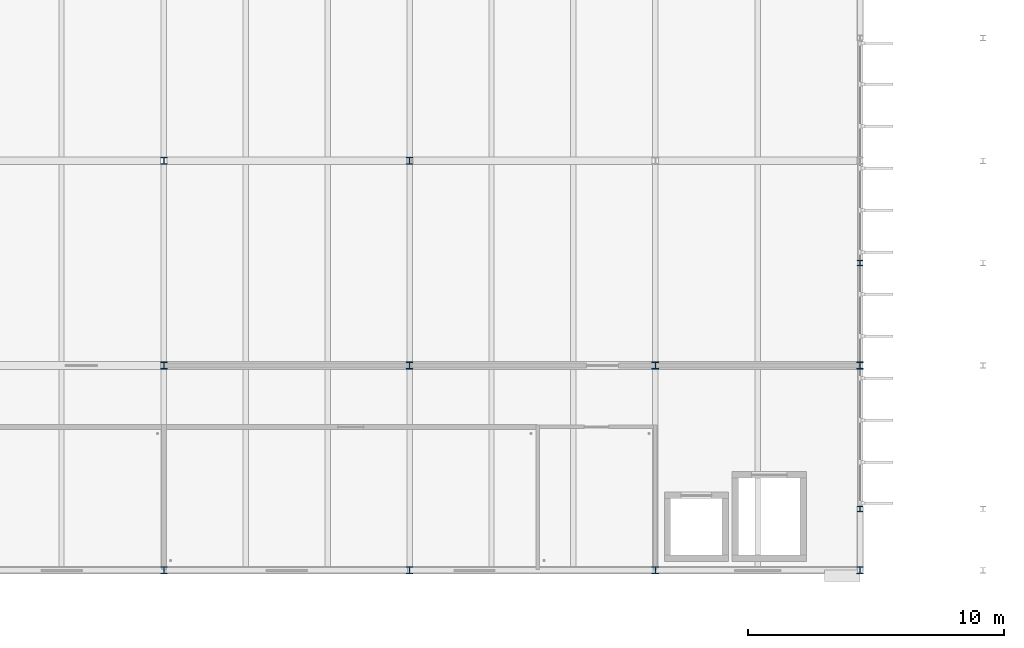
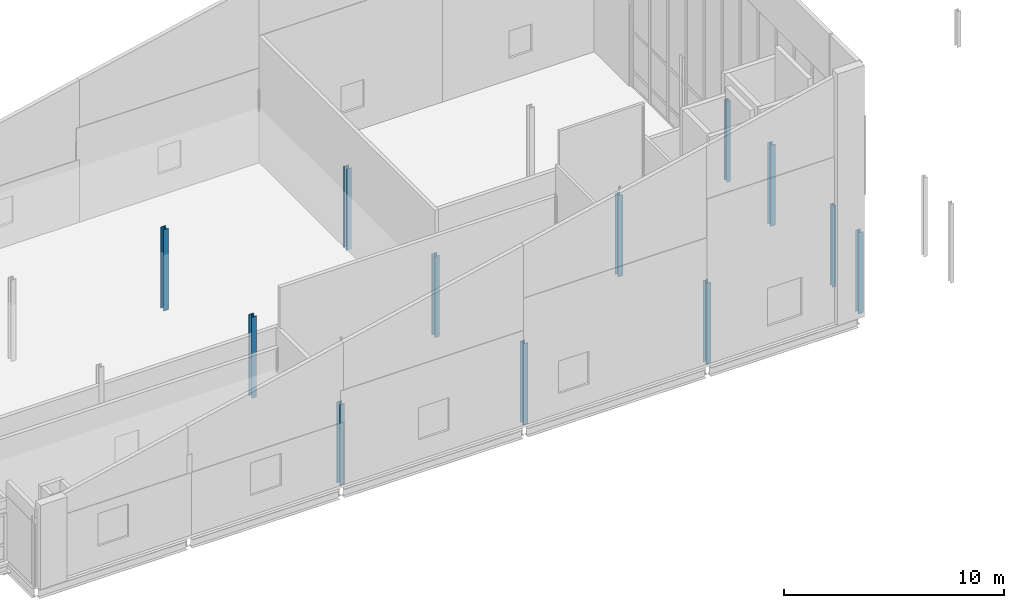
# One storey, part 6 of 59: 12 columns.
"""IFC4 building model written with IfcOpenShell, lengths in metres."""

from ifc_helpers import new_model, si_unit, direction, frame, origin, origin_2d, place, context, subcontext, project, spatial, i_section, extrude, material, material_profile, profile_set, type_object, element, save


model = new_model("IFC4")

# Units and contexts
model_context = context("Model", 3, precision=1e-05, world=origin(), true_north=direction((0.0, 1.0)))
body_context = subcontext(model_context, "Body", "Model", "MODEL_VIEW")
ifc_project = project(units=[si_unit("LENGTHUNIT", "METRE"), si_unit("AREAUNIT", "SQUARE_METRE"), si_unit("VOLUMEUNIT", "CUBIC_METRE"), si_unit("PLANEANGLEUNIT", "RADIAN"), si_unit("MASSUNIT", "GRAM", prefix="KILO")], contexts=[model_context])

# Site, building, storey
site_placement = place(None, origin())
site = spatial("IfcSite", under=ifc_project, at=site_placement, CompositionType="ELEMENT")
building_placement = place(site_placement, origin())
building = spatial("IfcBuilding", under=site, at=building_placement, Name="Dunescarp Central Library", CompositionType="ELEMENT")
storey_placement = place(building_placement, frame((0.0, 0.0, 18.60009765625)))
storey = spatial("IfcBuildingStorey", under=building, at=storey_placement, Name="L04", CompositionType="ELEMENT", Elevation=18.60009765625)

# Columns
ifc_material = material(Name="Steel S355JR", Category="steel")
ifc_material_profile_1 = material_profile(ifc_material, i_section(OverallWidth=0.206298828125, OverallDepth=0.2158203125, WebThickness=0.010009765625, FlangeThickness=0.017333984375, at=origin_2d()), Name="UC 203x203x71")
ifc_profile_set_1 = profile_set([ifc_material_profile_1], Name="Steel S355JR")
column_type_1 = type_object("IfcColumnType", Name="STR-COL-UC203X71", PredefinedType="COLUMN", material=ifc_profile_set_1)
for number, where, z_axis, x_axis, name in (
    (1, (124.800048828125, 7.199951171875, 0.0), (0.0, 0.0, 1.0), (1.0, 0.0, 0.0), "L04 column V3L-1248-72"),
    (2, (124.800048828125, 16.800048828125, 0.0), (0.0, 0.0, 1.0), (1.0, 0.0, 0.0), "L04 column V3L-1248-168"),
):
    element("IfcColumn", number, at=place(storey_placement, frame(where, z_axis=z_axis, x_axis=x_axis)), inside=storey, type_object=column_type_1, Name=name, PredefinedType="COLUMN", context=body_context, shape_type="SweptSolid", body=[
        extrude(i_section(OverallWidth=0.206298828125, OverallDepth=0.2158203125, WebThickness=0.010009765625, FlangeThickness=0.017333984375, at=origin_2d()), origin(), (0.0, 0.0, 1.0), 4.5),
    ])
ifc_material_profile_2 = material_profile(ifc_material, i_section(OverallWidth=0.26123046875, OverallDepth=0.2763671875, WebThickness=0.015380859375, FlangeThickness=0.025390625, at=origin_2d()), Name="UC 254x254x132")
ifc_profile_set_2 = profile_set([ifc_material_profile_2], Name="Steel S355JR")
column_type_2 = type_object("IfcColumnType", Name="STR-COL-UC254X132", PredefinedType="COLUMN", material=ifc_profile_set_2)
for number, where, z_axis, x_axis, name in (
    (3, (97.60009765625, 4.800048828125, 0.0), (0.0, 0.0, 1.0), (1.0, 0.0, 0.0), "L04 column V3-976-48"),
    (4, (97.60009765625, 12.800048828125, 0.0), (0.0, 0.0, 1.0), (1.0, 0.0, 0.0), "L04 column V3-976-128"),
    (5, (97.60009765625, 20.800048828125, 0.0), (0.0, 0.0, 1.0), (1.0, 0.0, 0.0), "L04 column V3-976-208"),
    (6, (107.199951171875, 4.800048828125, 0.0), (0.0, 0.0, 1.0), (1.0, 0.0, 0.0), "L04 column V3-1072-48"),
    (7, (107.199951171875, 12.800048828125, 0.0), (0.0, 0.0, 1.0), (1.0, 0.0, 0.0), "L04 column V3-1072-128"),
    (8, (107.199951171875, 20.800048828125, 0.0), (0.0, 0.0, 1.0), (1.0, 0.0, 0.0), "L04 column V3-1072-208"),
    (9, (116.800048828125, 4.800048828125, 0.0), (0.0, 0.0, 1.0), (1.0, 0.0, 0.0), "L04 column V3-1168-48"),
    (10, (116.800048828125, 12.800048828125, 0.0), (0.0, 0.0, 1.0), (1.0, 0.0, 0.0), "L04 column V3-1168-128"),
    (11, (124.800048828125, 4.800048828125, 0.0), (0.0, 0.0, 1.0), (1.0, 0.0, 0.0), "L04 column V3-1248-48"),
    (12, (124.800048828125, 12.800048828125, 0.0), (0.0, 0.0, 1.0), (1.0, 0.0, 0.0), "L04 column V3-1248-128"),
):
    element("IfcColumn", number, at=place(storey_placement, frame(where, z_axis=z_axis, x_axis=x_axis)), inside=storey, type_object=column_type_2, Name=name, PredefinedType="COLUMN", context=body_context, shape_type="SweptSolid", body=[
        extrude(i_section(OverallWidth=0.26123046875, OverallDepth=0.2763671875, WebThickness=0.015380859375, FlangeThickness=0.025390625, at=origin_2d()), origin(), (0.0, 0.0, 1.0), 4.5),
    ])

save(model, "model.ifc")
